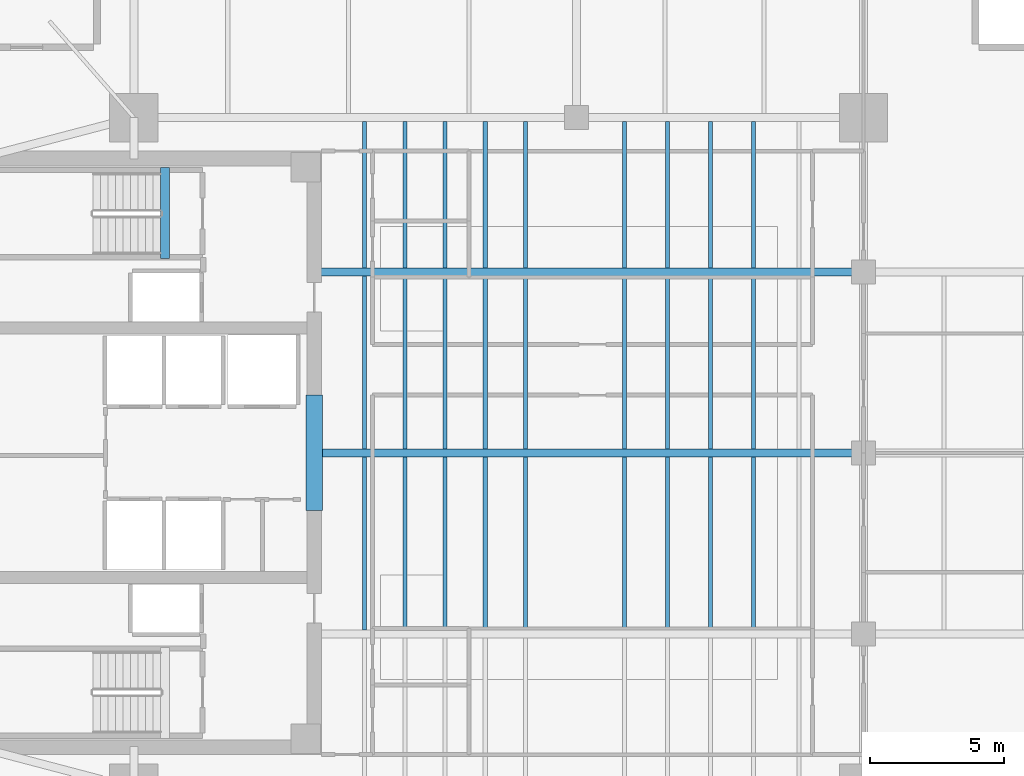
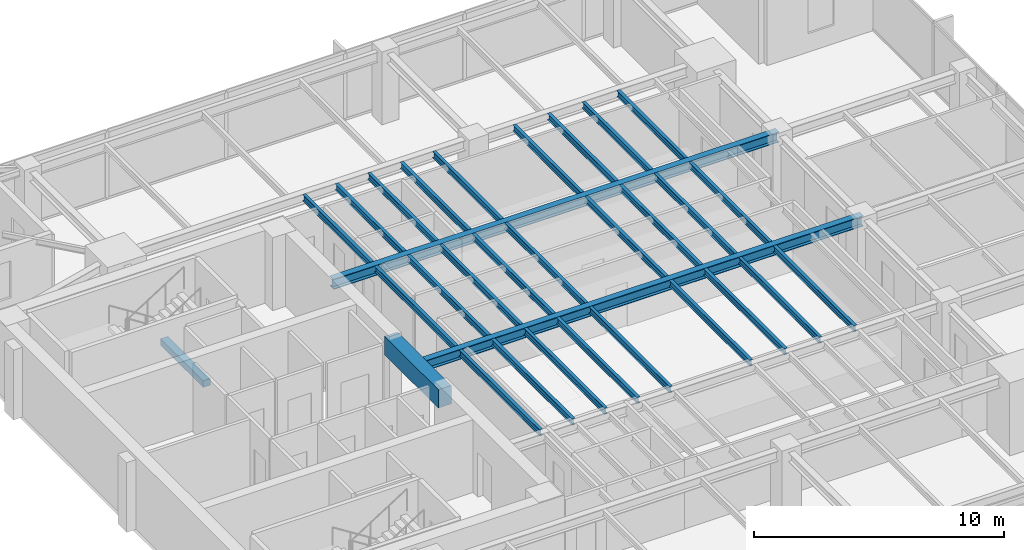
# One storey, part 3 of 14: 31 beams.
"""IFC4 building model written with IfcOpenShell, lengths in metres."""

from ifc_helpers import new_model, si_unit, direction, frame, origin, origin_2d, place, context, subcontext, project, spatial, rectangle, i_section, extrude, material, material_profile, profile_set, type_object, element, save


model = new_model("IFC4")

# Units and contexts
model_context = context("Model", 3, precision=1e-05, world=origin(), true_north=direction((0.0, 1.0)))
body_context = subcontext(model_context, "Body", "Model", "MODEL_VIEW")
ifc_project = project(units=[si_unit("LENGTHUNIT", "METRE"), si_unit("AREAUNIT", "SQUARE_METRE"), si_unit("VOLUMEUNIT", "CUBIC_METRE"), si_unit("PLANEANGLEUNIT", "RADIAN"), si_unit("MASSUNIT", "GRAM", prefix="KILO")], contexts=[model_context])

# Site, building, storey
site_placement = place(None, origin())
site = spatial("IfcSite", under=ifc_project, at=site_placement, CompositionType="ELEMENT")
building_placement = place(site_placement, origin())
building = spatial("IfcBuilding", under=site, at=building_placement, Name="Kinhvarn Gate Tower", CompositionType="ELEMENT")
storey_placement = place(building_placement, frame((0.0, 0.0, 202.25)))
storey = spatial("IfcBuildingStorey", under=building, at=storey_placement, Name="L53", CompositionType="ELEMENT", Elevation=202.25)

# Beams
ifc_material_1 = material(Name="Concrete C60/75", Category="concrete")
ifc_material_profile_1 = material_profile(ifc_material_1, rectangle(XDim=0.60009765625, YDim=0.89990234375, at=origin_2d()), Name="RC 600x900")
ifc_profile_set_1 = profile_set([ifc_material_profile_1], Name="Concrete C60/75")
beam_type_1 = type_object("IfcBeamType", Name="BM-CB-900", PredefinedType="LINTEL", material=ifc_profile_set_1)
beam_1_placement = place(storey_placement, frame((17.72509765625, 23.10009765625, 2.919921875), z_axis=(0.0, 1.0, 0.0), x_axis=(-1.0, 0.0, 0.0)))
element("IfcBeam", 1, at=beam_1_placement, inside=storey, type_object=beam_type_1, Name="Core East Portal Coupling Beam L53", PredefinedType="LINTEL", context=body_context, shape_type="SweptSolid", body=[
    extrude(rectangle(XDim=0.60009765625, YDim=0.89990234375, at=origin_2d()), origin(), (0.0, 0.0, 1.0), 4.2998046875),
])
ifc_material_2 = material(Name="Concrete C50/60", Category="concrete")
ifc_material_profile_2 = material_profile(ifc_material_2, rectangle(XDim=0.340087890625, YDim=0.320068359375, at=origin_2d()), Name="RC 340x320")
ifc_profile_set_2 = profile_set([ifc_material_profile_2], Name="Concrete C50/60")
beam_type_2 = type_object("IfcBeamType", Name="BM-LND-500", PredefinedType="BEAM", material=ifc_profile_set_2)
beam_2_placement = place(storey_placement, frame((12.1650390625, 32.5, -0.159912109375), z_axis=(0.0, 1.0, 0.0), x_axis=(-1.0, 0.0, 0.0)))
element("IfcBeam", 2, at=beam_2_placement, inside=storey, type_object=beam_type_2, Name="Stair ST2 Landing Nosing Beam (L53)", PredefinedType="BEAM", context=body_context, shape_type="SweptSolid", body=[
    extrude(rectangle(XDim=0.340087890625, YDim=0.320068359375, at=origin_2d()), origin(), (0.0, 0.0, 1.0), 3.39990234375),
])
ifc_material_3 = material(Name="Steel S355", Category="steel")
ifc_material_profile_3 = material_profile(ifc_material_3, i_section(OverallWidth=0.300048828125, OverallDepth=0.5, WebThickness=0.014404296875, FlangeThickness=0.028076171875, at=origin_2d()), Name="HEB 500")
ifc_profile_set_3 = profile_set([ifc_material_profile_3], Name="Steel S355")
beam_type_3 = type_object("IfcBeamType", Name="STL-HEB500", PredefinedType="BEAM", material=ifc_profile_set_3)
beam_3_placement = place(storey_placement, frame((18.02490234375, 25.25, 3.1201171875), z_axis=(1.0, 0.0, 0.0), x_axis=(0.0, 1.0, 0.0)))
element("IfcBeam", 3, at=beam_3_placement, inside=storey, type_object=beam_type_3, Name="Floor Beam PG-14 (L53 EW1-Y25)", PredefinedType="BEAM", context=body_context, shape_type="SweptSolid", body=[
    extrude(i_section(OverallWidth=0.300048828125, OverallDepth=0.5, WebThickness=0.014404296875, FlangeThickness=0.028076171875, at=origin_2d()), origin(), (0.0, 0.0, 1.0), 20.175048828125),
])
beam_4_placement = place(storey_placement, frame((17.64990234375, 32.0, 3.1201171875), z_axis=(1.0, 0.0, 0.0), x_axis=(0.0, 1.0, 0.0)))
element("IfcBeam", 4, at=beam_4_placement, inside=storey, type_object=beam_type_3, Name="Floor Beam PG-14 (L53 EW1-Y32)", PredefinedType="BEAM", context=body_context, shape_type="SweptSolid", body=[
    extrude(i_section(OverallWidth=0.300048828125, OverallDepth=0.5, WebThickness=0.014404296875, FlangeThickness=0.028076171875, at=origin_2d()), origin(), (0.0, 0.0, 1.0), 20.550048828125),
])
ifc_material_profile_4 = material_profile(ifc_material_3, i_section(OverallWidth=0.14990234375, OverallDepth=0.300048828125, WebThickness=0.007080078125, FlangeThickness=0.0107421875, at=origin_2d()), Name="IPE 300")
ifc_profile_set_4 = profile_set([ifc_material_profile_4], Name="Steel S355")
beam_type_4 = type_object("IfcBeamType", Name="STL-IPE300", PredefinedType="JOIST", material=ifc_profile_set_4)
for number, where, z_axis, x_axis, name in (
    (5, (19.60009765625, 18.64990234375, 3.219970703125), (0.0, 1.0, 0.0), (-1.0, 0.0, 0.0), "Floor Joist SB-02 (L53 JC-X196-1)"),
    (6, (19.60009765625, 25.39990234375, 3.219970703125), (0.0, 1.0, 0.0), (-1.0, 0.0, 0.0), "Floor Joist SB-02 (L53 JC-X196-2)"),
):
    element("IfcBeam", number, at=place(storey_placement, frame(where, z_axis=z_axis, x_axis=x_axis)), inside=storey, type_object=beam_type_4, Name=name, PredefinedType="JOIST", context=body_context, shape_type="SweptSolid", body=[
        extrude(i_section(OverallWidth=0.14990234375, OverallDepth=0.300048828125, WebThickness=0.007080078125, FlangeThickness=0.0107421875, at=origin_2d()), origin(), (0.0, 0.0, 1.0), 6.4501953125),
    ])
beam_5_placement = place(storey_placement, frame((19.60009765625, 32.14990234375, 3.219970703125), z_axis=(0.0, 1.0, 0.0), x_axis=(-1.0, 0.0, 0.0)))
element("IfcBeam", 7, at=beam_5_placement, inside=storey, type_object=beam_type_4, Name="Floor Joist SB-02 (L53 JC-X196-3)", PredefinedType="JOIST", context=body_context, shape_type="SweptSolid", body=[
    extrude(i_section(OverallWidth=0.14990234375, OverallDepth=0.300048828125, WebThickness=0.007080078125, FlangeThickness=0.0107421875, at=origin_2d()), origin(), (0.0, 0.0, 1.0), 5.4501953125),
])
for number, where, z_axis, x_axis, name in (
    (8, (21.10009765625, 18.64990234375, 3.219970703125), (0.0, 1.0, 0.0), (-1.0, 0.0, 0.0), "Floor Joist SB-02 (L53 JC-X211-1)"),
    (9, (21.10009765625, 25.39990234375, 3.219970703125), (0.0, 1.0, 0.0), (-1.0, 0.0, 0.0), "Floor Joist SB-02 (L53 JC-X211-2)"),
):
    element("IfcBeam", number, at=place(storey_placement, frame(where, z_axis=z_axis, x_axis=x_axis)), inside=storey, type_object=beam_type_4, Name=name, PredefinedType="JOIST", context=body_context, shape_type="SweptSolid", body=[
        extrude(i_section(OverallWidth=0.14990234375, OverallDepth=0.300048828125, WebThickness=0.007080078125, FlangeThickness=0.0107421875, at=origin_2d()), origin(), (0.0, 0.0, 1.0), 6.4501953125),
    ])
beam_6_placement = place(storey_placement, frame((21.10009765625, 32.14990234375, 3.219970703125), z_axis=(0.0, 1.0, 0.0), x_axis=(-1.0, 0.0, 0.0)))
element("IfcBeam", 10, at=beam_6_placement, inside=storey, type_object=beam_type_4, Name="Floor Joist SB-02 (L53 JC-X211-3)", PredefinedType="JOIST", context=body_context, shape_type="SweptSolid", body=[
    extrude(i_section(OverallWidth=0.14990234375, OverallDepth=0.300048828125, WebThickness=0.007080078125, FlangeThickness=0.0107421875, at=origin_2d()), origin(), (0.0, 0.0, 1.0), 5.4501953125),
])
for number, where, z_axis, x_axis, name in (
    (11, (22.60009765625, 18.64990234375, 3.219970703125), (0.0, 1.0, 0.0), (-1.0, 0.0, 0.0), "Floor Joist SB-02 (L53 JC-X226-1)"),
    (12, (22.60009765625, 25.39990234375, 3.219970703125), (0.0, 1.0, 0.0), (-1.0, 0.0, 0.0), "Floor Joist SB-02 (L53 JC-X226-2)"),
):
    element("IfcBeam", number, at=place(storey_placement, frame(where, z_axis=z_axis, x_axis=x_axis)), inside=storey, type_object=beam_type_4, Name=name, PredefinedType="JOIST", context=body_context, shape_type="SweptSolid", body=[
        extrude(i_section(OverallWidth=0.14990234375, OverallDepth=0.300048828125, WebThickness=0.007080078125, FlangeThickness=0.0107421875, at=origin_2d()), origin(), (0.0, 0.0, 1.0), 6.4501953125),
    ])
beam_7_placement = place(storey_placement, frame((22.60009765625, 32.14990234375, 3.219970703125), z_axis=(0.0, 1.0, 0.0), x_axis=(-1.0, 0.0, 0.0)))
element("IfcBeam", 13, at=beam_7_placement, inside=storey, type_object=beam_type_4, Name="Floor Joist SB-02 (L53 JC-X226-3)", PredefinedType="JOIST", context=body_context, shape_type="SweptSolid", body=[
    extrude(i_section(OverallWidth=0.14990234375, OverallDepth=0.300048828125, WebThickness=0.007080078125, FlangeThickness=0.0107421875, at=origin_2d()), origin(), (0.0, 0.0, 1.0), 5.4501953125),
])
for number, where, z_axis, x_axis, name in (
    (14, (24.10009765625, 18.64990234375, 3.219970703125), (0.0, 1.0, 0.0), (-1.0, 0.0, 0.0), "Floor Joist SB-02 (L53 JC-X241-1)"),
    (15, (24.10009765625, 25.39990234375, 3.219970703125), (0.0, 1.0, 0.0), (-1.0, 0.0, 0.0), "Floor Joist SB-02 (L53 JC-X241-2)"),
):
    element("IfcBeam", number, at=place(storey_placement, frame(where, z_axis=z_axis, x_axis=x_axis)), inside=storey, type_object=beam_type_4, Name=name, PredefinedType="JOIST", context=body_context, shape_type="SweptSolid", body=[
        extrude(i_section(OverallWidth=0.14990234375, OverallDepth=0.300048828125, WebThickness=0.007080078125, FlangeThickness=0.0107421875, at=origin_2d()), origin(), (0.0, 0.0, 1.0), 6.4501953125),
    ])
beam_8_placement = place(storey_placement, frame((24.10009765625, 32.14990234375, 3.219970703125), z_axis=(0.0, 1.0, 0.0), x_axis=(-1.0, 0.0, 0.0)))
element("IfcBeam", 16, at=beam_8_placement, inside=storey, type_object=beam_type_4, Name="Floor Joist SB-02 (L53 JC-X241-3)", PredefinedType="JOIST", context=body_context, shape_type="SweptSolid", body=[
    extrude(i_section(OverallWidth=0.14990234375, OverallDepth=0.300048828125, WebThickness=0.007080078125, FlangeThickness=0.0107421875, at=origin_2d()), origin(), (0.0, 0.0, 1.0), 5.4501953125),
])
for number, where, z_axis, x_axis, name in (
    (17, (25.60009765625, 18.64990234375, 3.219970703125), (0.0, 1.0, 0.0), (-1.0, 0.0, 0.0), "Floor Joist SB-02 (L53 JC-X256-1)"),
    (18, (25.60009765625, 25.39990234375, 3.219970703125), (0.0, 1.0, 0.0), (-1.0, 0.0, 0.0), "Floor Joist SB-02 (L53 JC-X256-2)"),
):
    element("IfcBeam", number, at=place(storey_placement, frame(where, z_axis=z_axis, x_axis=x_axis)), inside=storey, type_object=beam_type_4, Name=name, PredefinedType="JOIST", context=body_context, shape_type="SweptSolid", body=[
        extrude(i_section(OverallWidth=0.14990234375, OverallDepth=0.300048828125, WebThickness=0.007080078125, FlangeThickness=0.0107421875, at=origin_2d()), origin(), (0.0, 0.0, 1.0), 6.4501953125),
    ])
beam_9_placement = place(storey_placement, frame((25.60009765625, 32.14990234375, 3.219970703125), z_axis=(0.0, 1.0, 0.0), x_axis=(-1.0, 0.0, 0.0)))
element("IfcBeam", 19, at=beam_9_placement, inside=storey, type_object=beam_type_4, Name="Floor Joist SB-02 (L53 JC-X256-3)", PredefinedType="JOIST", context=body_context, shape_type="SweptSolid", body=[
    extrude(i_section(OverallWidth=0.14990234375, OverallDepth=0.300048828125, WebThickness=0.007080078125, FlangeThickness=0.0107421875, at=origin_2d()), origin(), (0.0, 0.0, 1.0), 5.4501953125),
])
for number, where, z_axis, x_axis, name in (
    (20, (29.300048828125, 18.64990234375, 3.219970703125), (0.0, 1.0, 0.0), (-1.0, 0.0, 0.0), "Floor Joist SB-02 (L53 JC-X293-1)"),
    (21, (29.300048828125, 25.39990234375, 3.219970703125), (0.0, 1.0, 0.0), (-1.0, 0.0, 0.0), "Floor Joist SB-02 (L53 JC-X293-2)"),
):
    element("IfcBeam", number, at=place(storey_placement, frame(where, z_axis=z_axis, x_axis=x_axis)), inside=storey, type_object=beam_type_4, Name=name, PredefinedType="JOIST", context=body_context, shape_type="SweptSolid", body=[
        extrude(i_section(OverallWidth=0.14990234375, OverallDepth=0.300048828125, WebThickness=0.007080078125, FlangeThickness=0.0107421875, at=origin_2d()), origin(), (0.0, 0.0, 1.0), 6.4501953125),
    ])
beam_10_placement = place(storey_placement, frame((29.300048828125, 32.14990234375, 3.219970703125), z_axis=(0.0, 1.0, 0.0), x_axis=(-1.0, 0.0, 0.0)))
element("IfcBeam", 22, at=beam_10_placement, inside=storey, type_object=beam_type_4, Name="Floor Joist SB-02 (L53 JC-X293-3)", PredefinedType="JOIST", context=body_context, shape_type="SweptSolid", body=[
    extrude(i_section(OverallWidth=0.14990234375, OverallDepth=0.300048828125, WebThickness=0.007080078125, FlangeThickness=0.0107421875, at=origin_2d()), origin(), (0.0, 0.0, 1.0), 5.4501953125),
])
for number, where, z_axis, x_axis, name in (
    (23, (30.89990234375, 18.64990234375, 3.219970703125), (0.0, 1.0, 0.0), (-1.0, 0.0, 0.0), "Floor Joist SB-02 (L53 JC-X309-1)"),
    (24, (30.89990234375, 25.39990234375, 3.219970703125), (0.0, 1.0, 0.0), (-1.0, 0.0, 0.0), "Floor Joist SB-02 (L53 JC-X309-2)"),
):
    element("IfcBeam", number, at=place(storey_placement, frame(where, z_axis=z_axis, x_axis=x_axis)), inside=storey, type_object=beam_type_4, Name=name, PredefinedType="JOIST", context=body_context, shape_type="SweptSolid", body=[
        extrude(i_section(OverallWidth=0.14990234375, OverallDepth=0.300048828125, WebThickness=0.007080078125, FlangeThickness=0.0107421875, at=origin_2d()), origin(), (0.0, 0.0, 1.0), 6.4501953125),
    ])
beam_11_placement = place(storey_placement, frame((30.89990234375, 32.14990234375, 3.219970703125), z_axis=(0.0, 1.0, 0.0), x_axis=(-1.0, 0.0, 0.0)))
element("IfcBeam", 25, at=beam_11_placement, inside=storey, type_object=beam_type_4, Name="Floor Joist SB-02 (L53 JC-X309-3)", PredefinedType="JOIST", context=body_context, shape_type="SweptSolid", body=[
    extrude(i_section(OverallWidth=0.14990234375, OverallDepth=0.300048828125, WebThickness=0.007080078125, FlangeThickness=0.0107421875, at=origin_2d()), origin(), (0.0, 0.0, 1.0), 5.4501953125),
])
for number, where, z_axis, x_axis, name in (
    (26, (32.5, 18.64990234375, 3.219970703125), (0.0, 1.0, 0.0), (-1.0, 0.0, 0.0), "Floor Joist SB-02 (L53 JC-X325-1)"),
    (27, (32.5, 25.39990234375, 3.219970703125), (0.0, 1.0, 0.0), (-1.0, 0.0, 0.0), "Floor Joist SB-02 (L53 JC-X325-2)"),
):
    element("IfcBeam", number, at=place(storey_placement, frame(where, z_axis=z_axis, x_axis=x_axis)), inside=storey, type_object=beam_type_4, Name=name, PredefinedType="JOIST", context=body_context, shape_type="SweptSolid", body=[
        extrude(i_section(OverallWidth=0.14990234375, OverallDepth=0.300048828125, WebThickness=0.007080078125, FlangeThickness=0.0107421875, at=origin_2d()), origin(), (0.0, 0.0, 1.0), 6.4501953125),
    ])
beam_12_placement = place(storey_placement, frame((32.5, 32.14990234375, 3.219970703125), z_axis=(0.0, 1.0, 0.0), x_axis=(-1.0, 0.0, 0.0)))
element("IfcBeam", 28, at=beam_12_placement, inside=storey, type_object=beam_type_4, Name="Floor Joist SB-02 (L53 JC-X325-3)", PredefinedType="JOIST", context=body_context, shape_type="SweptSolid", body=[
    extrude(i_section(OverallWidth=0.14990234375, OverallDepth=0.300048828125, WebThickness=0.007080078125, FlangeThickness=0.0107421875, at=origin_2d()), origin(), (0.0, 0.0, 1.0), 5.4501953125),
])
for number, where, z_axis, x_axis, name in (
    (29, (34.10009765625, 18.64990234375, 3.219970703125), (0.0, 1.0, 0.0), (-1.0, 0.0, 0.0), "Floor Joist SB-02 (L53 JC-X341-1)"),
    (30, (34.10009765625, 25.39990234375, 3.219970703125), (0.0, 1.0, 0.0), (-1.0, 0.0, 0.0), "Floor Joist SB-02 (L53 JC-X341-2)"),
):
    element("IfcBeam", number, at=place(storey_placement, frame(where, z_axis=z_axis, x_axis=x_axis)), inside=storey, type_object=beam_type_4, Name=name, PredefinedType="JOIST", context=body_context, shape_type="SweptSolid", body=[
        extrude(i_section(OverallWidth=0.14990234375, OverallDepth=0.300048828125, WebThickness=0.007080078125, FlangeThickness=0.0107421875, at=origin_2d()), origin(), (0.0, 0.0, 1.0), 6.4501953125),
    ])
beam_13_placement = place(storey_placement, frame((34.10009765625, 32.14990234375, 3.219970703125), z_axis=(0.0, 1.0, 0.0), x_axis=(-1.0, 0.0, 0.0)))
element("IfcBeam", 31, at=beam_13_placement, inside=storey, type_object=beam_type_4, Name="Floor Joist SB-02 (L53 JC-X341-3)", PredefinedType="JOIST", context=body_context, shape_type="SweptSolid", body=[
    extrude(i_section(OverallWidth=0.14990234375, OverallDepth=0.300048828125, WebThickness=0.007080078125, FlangeThickness=0.0107421875, at=origin_2d()), origin(), (0.0, 0.0, 1.0), 5.4501953125),
])

save(model, "model.ifc")
